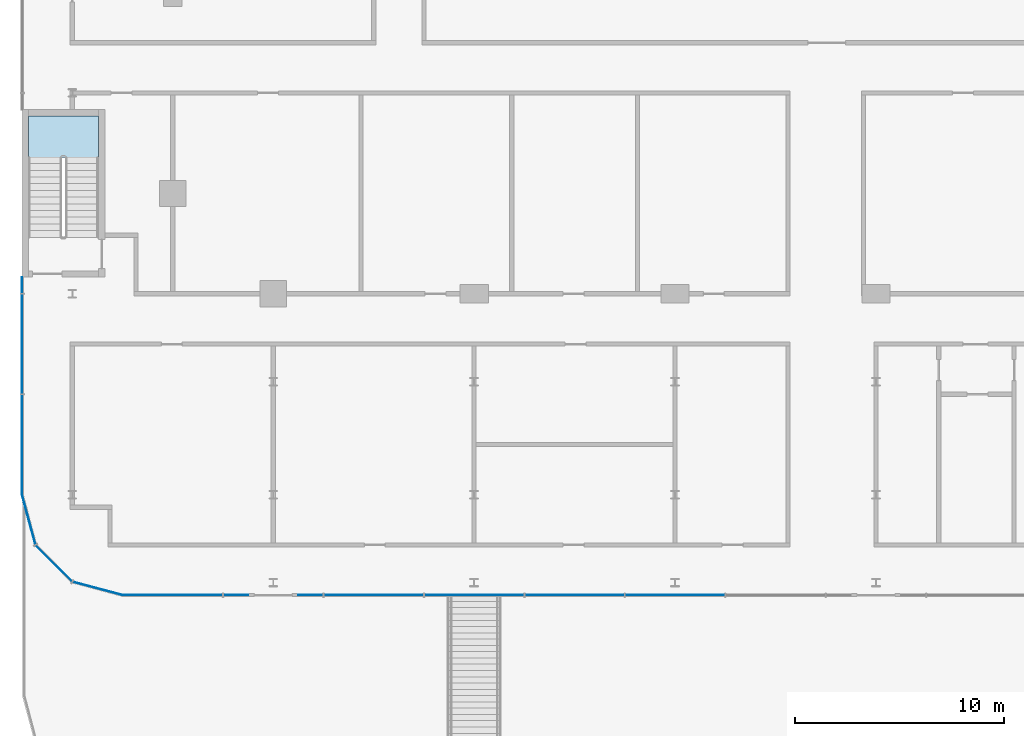
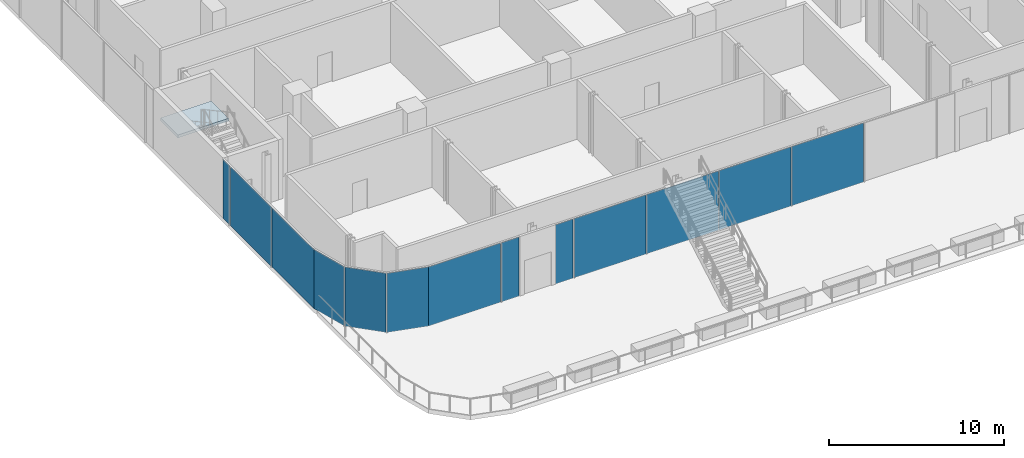
# One storey, part 21 of 38: 13 plates, 1 slab, 4 elements without a shape of their own.
"""IFC4 building model written with IfcOpenShell, lengths in metres."""

from ifc_helpers import new_model, si_unit, direction, frame, origin, origin_2d, place, context, subcontext, project, spatial, polyline, rectangle, outline, extrude, material, layer, layer_set, type_object, element, aggregate, save


model = new_model("IFC4")

# Units and contexts
model_context = context("Model", 3, precision=1e-05, world=origin(), true_north=direction((0.0, 1.0)))
body_context = subcontext(model_context, "Body", "Model", "MODEL_VIEW")
ifc_project = project(units=[si_unit("LENGTHUNIT", "METRE"), si_unit("AREAUNIT", "SQUARE_METRE"), si_unit("VOLUMEUNIT", "CUBIC_METRE"), si_unit("PLANEANGLEUNIT", "RADIAN"), si_unit("MASSUNIT", "GRAM", prefix="KILO")], contexts=[model_context])

# Site, building, storey
site_placement = place(None, origin())
site = spatial("IfcSite", under=ifc_project, at=site_placement, CompositionType="ELEMENT")
building_placement = place(site_placement, origin())
building = spatial("IfcBuilding", under=site, at=building_placement, Name="Madar Terraces", CompositionType="ELEMENT")
storey_placement = place(building_placement, frame((0.0, 0.0, 15.0)))
storey = spatial("IfcBuildingStorey", under=building, at=storey_placement, Name="L03", CompositionType="ELEMENT", Elevation=15.0)

# Curtain wall, plates
ifc_material_1 = material(Name="Glass, clear low-iron, with black aluminium frame", Category="aluminium")
ifc_layer_1 = layer(ifc_material_1, 0.199951171875)
ifc_layer_set_1 = layer_set([ifc_layer_1], Name="Facade curtain wall, shopfront glazing")
curtain_wall_type = type_object("IfcCurtainWallType", Name="Facade curtain wall, shopfront glazing", PredefinedType="NOTDEFINED", material=ifc_layer_set_1)
curtain_wall_1_placement = place(storey_placement, origin())
curtain_wall_1 = element("IfcCurtainWall", 1, at=curtain_wall_1_placement, inside=storey, type_object=curtain_wall_type, Name="Outer skin curtain wall south bay 1", PredefinedType="NOTDEFINED")
ifc_material_2 = material(Name="Glass, ceramic frit dark grey", Category="glass")
ifc_layer_2 = layer(ifc_material_2, 0.028076171875)
ifc_layer_set_2 = layer_set([ifc_layer_2], Name="Facade glass panel 28")
plate_type = type_object("IfcPlateType", Name="Facade glass panel 28", PredefinedType="CURTAIN_PANEL", material=ifc_layer_set_2)
plate_1_placement = place(storey_placement, frame((-0.014892578125, -14.39990234375, 0.0), z_axis=(0.0, 0.0, 1.0), x_axis=(1.0, 0.0, 0.0)))
plate_1 = element("IfcPlate", 2, at=plate_1_placement, type_object=plate_type, Name="Panel 1", PredefinedType="CURTAIN_PANEL", context=body_context, shape_type="SweptSolid", body=[
    extrude(rectangle(XDim=4.77001953125, YDim=0.028076171875, at=origin_2d()), origin(), (0.0, 0.0, 1.0), 4.139892578125),
])
plate_2_placement = place(storey_placement, frame((3.014892578125, -14.39990234375, 0.0), z_axis=(0.0, 0.0, 1.0), x_axis=(1.0, 0.0, 0.0)))
plate_2 = element("IfcPlate", 3, at=plate_2_placement, type_object=plate_type, Name="Panel 2", PredefinedType="CURTAIN_PANEL", context=body_context, shape_type="SweptSolid", body=[
    extrude(rectangle(XDim=1.169921875, YDim=0.028076171875, at=origin_2d()), origin(), (0.0, 0.0, 1.0), 4.139892578125),
])
plate_3_placement = place(storey_placement, frame((6.5849609375, -14.39990234375, 0.0), z_axis=(0.0, 0.0, 1.0), x_axis=(1.0, 0.0, 0.0)))
plate_3 = element("IfcPlate", 4, at=plate_3_placement, type_object=plate_type, Name="Panel 3", PredefinedType="CURTAIN_PANEL", context=body_context, shape_type="SweptSolid", body=[
    extrude(rectangle(XDim=1.169921875, YDim=0.028076171875, at=origin_2d()), origin(), (0.0, 0.0, 1.0), 4.139892578125),
])
plate_4_placement = place(storey_placement, frame((9.60009765625, -14.39990234375, 0.0), z_axis=(0.0, 0.0, 1.0), x_axis=(1.0, 0.0, 0.0)))
plate_4 = element("IfcPlate", 5, at=plate_4_placement, type_object=plate_type, Name="Panel 4", PredefinedType="CURTAIN_PANEL", context=body_context, shape_type="SweptSolid", body=[
    extrude(rectangle(XDim=4.739990234375, YDim=0.028076171875, at=origin_2d()), origin(), (0.0, 0.0, 1.0), 4.139892578125),
])
plate_5_placement = place(storey_placement, frame((14.39990234375, -14.39990234375, 0.0), z_axis=(0.0, 0.0, 1.0), x_axis=(1.0, 0.0, 0.0)))
plate_5 = element("IfcPlate", 6, at=plate_5_placement, type_object=plate_type, Name="Panel 5", PredefinedType="CURTAIN_PANEL", context=body_context, shape_type="SweptSolid", body=[
    extrude(rectangle(XDim=4.739990234375, YDim=0.028076171875, at=origin_2d()), origin(), (0.0, 0.0, 1.0), 4.139892578125),
])
plate_6_placement = place(storey_placement, frame((19.199951171875, -14.39990234375, 0.0), z_axis=(0.0, 0.0, 1.0), x_axis=(1.0, 0.0, 0.0)))
plate_6 = element("IfcPlate", 7, at=plate_6_placement, type_object=plate_type, Name="Panel 6", PredefinedType="CURTAIN_PANEL", context=body_context, shape_type="SweptSolid", body=[
    extrude(rectangle(XDim=4.739990234375, YDim=0.028076171875, at=origin_2d()), origin(), (0.0, 0.0, 1.0), 4.139892578125),
])
plate_7_placement = place(storey_placement, frame((24.0, -14.39990234375, 0.0), z_axis=(0.0, 0.0, 1.0), x_axis=(1.0, 0.0, 0.0)))
plate_7 = element("IfcPlate", 8, at=plate_7_placement, type_object=plate_type, Name="Panel 7", PredefinedType="CURTAIN_PANEL", context=body_context, shape_type="SweptSolid", body=[
    extrude(rectangle(XDim=4.739990234375, YDim=0.028076171875, at=origin_2d()), origin(), (0.0, 0.0, 1.0), 4.139892578125),
])
aggregate(curtain_wall_1, [plate_1, plate_2, plate_3, plate_4, plate_5, plate_6, plate_7])

curtain_wall_2_placement = place(storey_placement, origin())
curtain_wall_2 = element("IfcCurtainWall", 9, at=curtain_wall_2_placement, inside=storey, type_object=curtain_wall_type, Name="Outer skin curtain wall west bay 1", PredefinedType="NOTDEFINED")
plate_8_placement = place(storey_placement, frame((-7.199951171875, 0.4150390625, 0.0), z_axis=(0.0, 0.0, 1.0), x_axis=(0.0, -1.0, 0.0)))
plate_8 = element("IfcPlate", 10, at=plate_8_placement, type_object=plate_type, Name="Panel 11", PredefinedType="CURTAIN_PANEL", context=body_context, shape_type="SweptSolid", body=[
    extrude(rectangle(XDim=0.77001953125, YDim=0.028076171875, at=origin_2d()), origin(), (0.0, 0.0, 1.0), 4.139892578125),
])
plate_9_placement = place(storey_placement, frame((-7.199951171875, -2.39990234375, 0.0), z_axis=(0.0, 0.0, 1.0), x_axis=(0.0, -1.0, 0.0)))
plate_9 = element("IfcPlate", 11, at=plate_9_placement, type_object=plate_type, Name="Panel 12", PredefinedType="CURTAIN_PANEL", context=body_context, shape_type="SweptSolid", body=[
    extrude(rectangle(XDim=4.739990234375, YDim=0.028076171875, at=origin_2d()), origin(), (0.0, 0.0, 1.0), 4.139892578125),
])
plate_10_placement = place(storey_placement, frame((-7.199951171875, -7.215087890625, 0.0), z_axis=(0.0, 0.0, 1.0), x_axis=(0.0, -1.0, 0.0)))
plate_10 = element("IfcPlate", 12, at=plate_10_placement, type_object=plate_type, Name="Panel 13", PredefinedType="CURTAIN_PANEL", context=body_context, shape_type="SweptSolid", body=[
    extrude(rectangle(XDim=4.77001953125, YDim=0.028076171875, at=origin_2d()), origin(), (0.0, 0.0, 1.0), 4.139892578125),
])
aggregate(curtain_wall_2, [plate_8, plate_9, plate_10])

curtain_wall_3_placement = place(storey_placement, origin())
curtain_wall_3 = element("IfcCurtainWall", 13, at=curtain_wall_3_placement, inside=storey, type_object=curtain_wall_type, Name="Outer skin curtain wall south-west corner", PredefinedType="NOTDEFINED")
plate_11_placement = place(storey_placement, frame((-6.88232421875, -10.785400390625, 0.0), z_axis=(0.0, 0.0, 1.0), x_axis=(0.258819021888, -0.965925832509, 0.0)))
plate_11 = element("IfcPlate", 14, at=plate_11_placement, type_object=plate_type, Name="Panel 1", PredefinedType="CURTAIN_PANEL", context=body_context, shape_type="SweptSolid", body=[
    extrude(rectangle(XDim=2.45458984375, YDim=0.028076171875, at=origin_2d()), origin(), (0.0, 0.0, 1.0), 4.139892578125),
])
plate_12_placement = place(storey_placement, frame((-5.678466796875, -12.87841796875, 0.0), z_axis=(0.0, 0.0, 1.0), x_axis=(0.707106781187, -0.707106781187, 0.0)))
plate_12 = element("IfcPlate", 15, at=plate_12_placement, type_object=plate_type, Name="Panel 2", PredefinedType="CURTAIN_PANEL", context=body_context, shape_type="SweptSolid", body=[
    extrude(rectangle(XDim=2.424560546875, YDim=0.028076171875, at=origin_2d()), origin(), (0.0, 0.0, 1.0), 4.139892578125),
])
plate_13_placement = place(storey_placement, frame((-3.58544921875, -14.082275390625, 0.0), z_axis=(0.0, 0.0, 1.0), x_axis=(0.965925832509, -0.258819021888, 0.0)))
plate_13 = element("IfcPlate", 16, at=plate_13_placement, type_object=plate_type, Name="Panel 3", PredefinedType="CURTAIN_PANEL", context=body_context, shape_type="SweptSolid", body=[
    extrude(rectangle(XDim=2.45458984375, YDim=0.028076171875, at=origin_2d()), origin(), (0.0, 0.0, 1.0), 4.139892578125),
])
aggregate(curtain_wall_3, [plate_11, plate_12, plate_13])

# Stair, slab
ifc_material_3 = material(Name="Concrete C50/60", Category="concrete")
stair_type = type_object("IfcStairType", Name="Stair PS1 protected exit", PredefinedType="HALF_TURN_STAIR", material=ifc_material_3)
stair_placement = place(storey_placement, origin())
stair = element("IfcStair", 17, at=stair_placement, inside=storey, type_object=stair_type, Name="L03 Protected Exit Stair PS1", PredefinedType="HALF_TURN_STAIR")
ifc_material_4 = material(Name="Concrete C50/60", Category="concrete")
ifc_layer_3 = layer(ifc_material_4, 0.199951171875)
ifc_layer_set_3 = layer_set([ifc_layer_3], Name="Stair landing 200, top +2.25")
slab_type = type_object("IfcSlabType", Name="Stair landing 200, top +2.25", PredefinedType="LANDING", material=ifc_layer_set_3)
slab_placement = place(storey_placement, frame((0.0, 0.0, 2.050048828125)))
slab = element("IfcSlab", 18, at=slab_placement, type_object=slab_type, Name="PS1 landing 1", PredefinedType="LANDING", context=body_context, shape_type="SweptSolid", body=[
    extrude(outline(polyline([(-6.89990234375, 6.510009765625), (-3.550048828125, 6.510009765625), (-3.550048828125, 8.5), (-6.89990234375, 8.5), (-6.89990234375, 6.510009765625)])), origin(), (0.0, 0.0, 1.0), 0.199951171875),
])
aggregate(stair, [slab])

save(model, "model.ifc")
